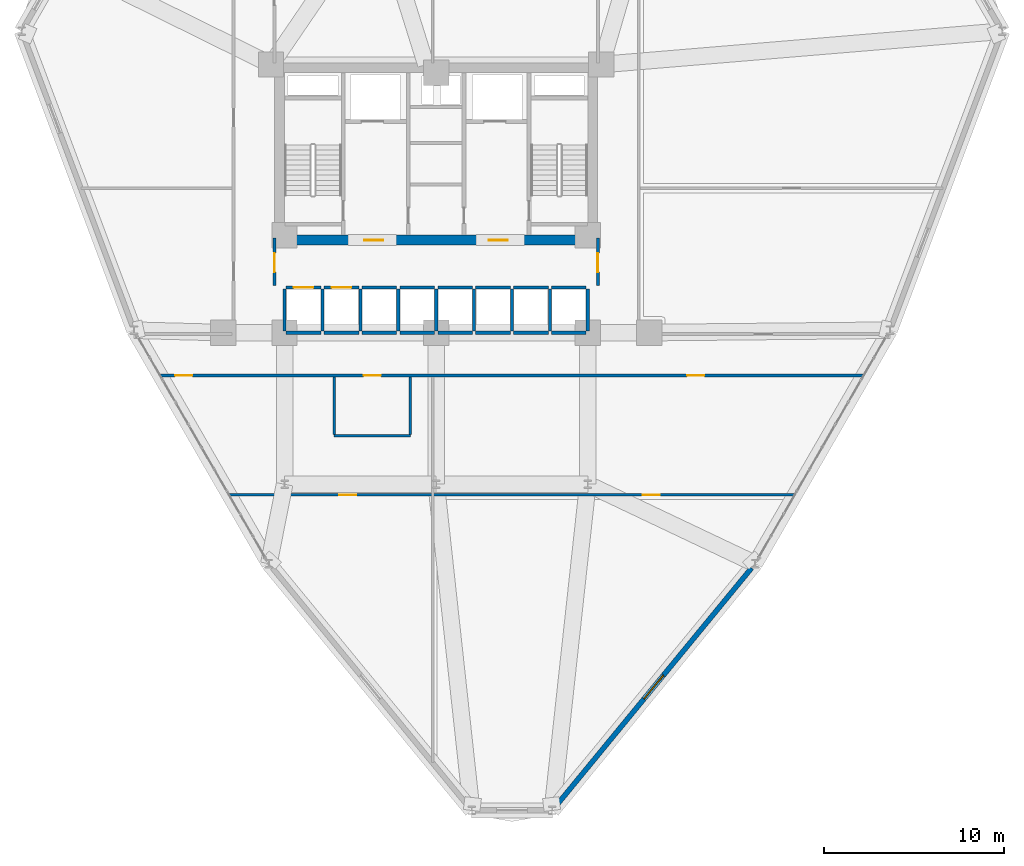
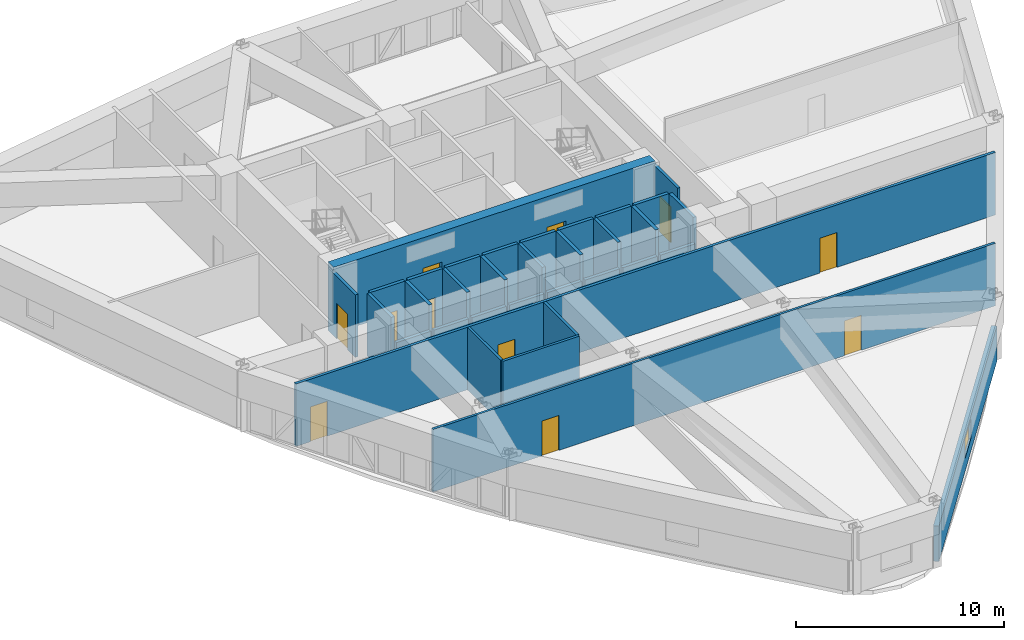
# One storey, part 13 of 17: 34 walls, 11 doors, 1 window, 12 openings.
"""IFC4 building model written with IfcOpenShell, lengths in metres."""

from ifc_helpers import new_model, si_unit, derived_unit, direction, frame, frame_2d, origin, place, context, subcontext, project, spatial, rectangle, extrude, material, layer, layer_set, type_object, element, fill, save


model = new_model("IFC4")

# Units and contexts
model_context = context("Model", 3, precision=1e-05, world=origin(), true_north=direction((0.0, 1.0)))
body_context = subcontext(model_context, "Body", "Model", "MODEL_VIEW")
ifc_project = project(units=[si_unit("LENGTHUNIT", "METRE"), si_unit("AREAUNIT", "SQUARE_METRE"), si_unit("VOLUMEUNIT", "CUBIC_METRE"), si_unit("PLANEANGLEUNIT", "RADIAN"), si_unit("MASSUNIT", "GRAM", prefix="KILO"), derived_unit("THERMALTRANSMITTANCEUNIT", [(si_unit("POWERUNIT", "WATT"), 1), (si_unit("LENGTHUNIT", "METRE"), -2), (si_unit("THERMODYNAMICTEMPERATUREUNIT", "KELVIN"), -1)])], contexts=[model_context])

# Site, building, storey
site_placement = place(None, origin())
site = spatial("IfcSite", under=ifc_project, at=site_placement, CompositionType="ELEMENT")
building_placement = place(site_placement, origin())
building = spatial("IfcBuilding", under=site, at=building_placement, Name="Korsvarv Bourse and Concert Hall", CompositionType="ELEMENT")
storey_placement = place(building_placement, frame((0.0, 0.0, 83.39990234375)))
storey = spatial("IfcBuildingStorey", under=building, at=storey_placement, Name="L20", CompositionType="ELEMENT", Elevation=83.39990234375)

# Wall, openings, doors
ifc_material_1 = material(Name="Concrete C60/75", Category="concrete")
ifc_layer_1 = layer(ifc_material_1, 0.550048828125)
ifc_layer_set_1 = layer_set([ifc_layer_1], Name="Concrete C60/75")
wall_type_1 = type_object("IfcWallType", Name="WL-CORE-550", PredefinedType="SHEAR", material=ifc_layer_set_1)
wall_1_placement = place(storey_placement, frame((27.050048828125, 37.52490234375, 0.0), z_axis=(0.0, 0.0, 1.0), x_axis=(1.0, 0.0, 0.0)))
wall_1 = element("IfcWall", 1, at=wall_1_placement, inside=storey, type_object=wall_type_1, Name="L20 South Core Shear Wall", PredefinedType="SHEAR", context=body_context, shape_type="SweptSolid", body=[
    extrude(rectangle(XDim=17.89990234375, YDim=0.550048828125, at=frame_2d((8.949951171875, 0.0))), origin(), (0.0, 0.0, 1.0), 3.900146484375),
])
opening_1_placement = place(wall_1_placement, frame((4.97509765625, 0.0, 0.0)))
opening_1 = element("IfcOpeningElement", 2, at=opening_1_placement, cuts=wall_1, Name="Opening D-01", PredefinedType="OPENING", context=body_context, shape_type="SweptSolid", body=[
    extrude(rectangle(XDim=1.050048828125, YDim=2.10009765625, at=frame_2d((0.52490234375, 1.050048828125))), frame((0.0, 0.28515625, 0.0), z_axis=(0.0, -1.0, 0.0), x_axis=(1.0, 0.0, 0.0)), (0.0, 0.0, 1.0), 0.570068359375),
])
opening_2_placement = place(wall_1_placement, frame((11.875, 0.0, 0.0)))
opening_2 = element("IfcOpeningElement", 3, at=opening_2_placement, cuts=wall_1, Name="Opening D-01", PredefinedType="OPENING", context=body_context, shape_type="SweptSolid", body=[
    extrude(rectangle(XDim=1.050048828125, YDim=2.10009765625, at=frame_2d((0.52490234375, 1.050048828125))), frame((0.0, 0.28515625, 0.0), z_axis=(0.0, -1.0, 0.0), x_axis=(1.0, 0.0, 0.0)), (0.0, 0.0, 1.0), 0.570068359375),
])
ifc_material_2 = material(Name="Steel S355 fire door", Category="steel")
door_type_1 = type_object("IfcDoorType", Name="DR-FD60", OperationType="NOTDEFINED", PredefinedType="DOOR", material=ifc_material_2)
door_1_placement = place(opening_1_placement, frame((1.050048828125, 0.0, 0.0), z_axis=(0.0, 0.0, 1.0), x_axis=(-1.0, 0.0, 0.0)))
door_1 = element("IfcDoor", 4, at=door_1_placement, inside=storey, type_object=door_type_1, Name="L20 firefighting lobby fire door DR-L20-FFLW", OperationType="SINGLE_SWING_LEFT", OverallHeight=2.10009765625, OverallWidth=1.050048828125, PredefinedType="DOOR", context=body_context, shape_type="SweptSolid", body=[
    extrude(rectangle(XDim=1.050048828125, YDim=2.10009765625, at=frame_2d((0.52490234375, 1.050048828125))), frame((0.0, 0.02490234375, 0.0), z_axis=(0.0, -1.0, 0.0), x_axis=(1.0, 0.0, 0.0)), (0.0, 0.0, 1.0), 0.050048828125),
])
fill(opening_1, door_1)
door_2_placement = place(opening_2_placement, frame((1.050048828125, 0.0, 0.0), z_axis=(0.0, 0.0, 1.0), x_axis=(-1.0, 0.0, 0.0)))
door_2 = element("IfcDoor", 5, at=door_2_placement, inside=storey, type_object=door_type_1, Name="L20 firefighting lobby fire door DR-L20-FFLE", OperationType="SINGLE_SWING_RIGHT", OverallHeight=2.10009765625, OverallWidth=1.050048828125, PredefinedType="DOOR", context=body_context, shape_type="SweptSolid", body=[
    extrude(rectangle(XDim=1.050048828125, YDim=2.10009765625, at=frame_2d((0.52490234375, 1.050048828125))), frame((0.0, 0.02490234375, 0.0), z_axis=(0.0, -1.0, 0.0), x_axis=(1.0, 0.0, 0.0)), (0.0, 0.0, 1.0), 0.050048828125),
])
fill(opening_2, door_2)

# Wall, opening, window
ifc_material_3 = material(Name="Precast concrete C45/55 with fluted terracotta pier", Category="concrete")
ifc_layer_2 = layer(ifc_material_3, 0.280029296875)
ifc_layer_set_2 = layer_set([ifc_layer_2], Name="Precast concrete C45/55 with fluted terracotta pier")
wall_type_2 = type_object("IfcWallType", Name="WL-EXT-TC2", PredefinedType="SOLIDWALL", material=ifc_layer_set_2)
wall_2_placement = place(storey_placement, frame((42.633056640625, 6.167724609375, 0.0), z_axis=(0.0, 0.0, 1.0), x_axis=(0.634956540438, 0.772547857259, 0.0)))
wall_2 = element("IfcWall", 6, at=wall_2_placement, inside=storey, type_object=wall_type_2, Name="L20 terracotta exterior wall EW-L20-B10", PredefinedType="SOLIDWALL", context=body_context, shape_type="SweptSolid", body=[
    extrude(rectangle(XDim=17.0712890625, YDim=0.280029296875, at=frame_2d((8.53564453125, 0.0))), origin(), (0.0, 0.0, 1.0), 2.080078125),
])
opening_3_placement = place(wall_2_placement, frame((7.685546875, 0.0, 0.75)))
opening_3 = element("IfcOpeningElement", 7, at=opening_3_placement, cuts=wall_2, Name="Opening W-06", PredefinedType="OPENING", context=body_context, shape_type="SweptSolid", body=[
    extrude(rectangle(XDim=1.699951171875, YDim=1.14990234375, at=frame_2d((0.85009765625, 0.574951171875))), frame((0.0, 0.14990234375, 0.0), z_axis=(0.0, -1.0, 0.0), x_axis=(1.0, 0.0, 0.0)), (0.0, 0.0, 1.0), 0.300048828125),
])
ifc_material_4 = material(Name="Thermally broken aluminium frame with triple low-E glass", Category="glass")
window_type = type_object("IfcWindowType", Name="WIN-TW1-1700X1150", PartitioningType="SINGLE_PANEL", PredefinedType="WINDOW", material=ifc_material_4)
window_placement = place(opening_3_placement, origin())
window = element("IfcWindow", 8, at=window_placement, inside=storey, type_object=window_type, Name="L20 punched facade window W-06", OverallHeight=1.14990234375, OverallWidth=1.699951171875, PartitioningType="SINGLE_PANEL", PredefinedType="WINDOW", context=body_context, shape_type="SweptSolid", body=[
    extrude(rectangle(XDim=1.699951171875, YDim=1.14990234375, at=frame_2d((0.85009765625, 0.574951171875))), frame((0.0, 0.030029296875, 0.0), z_axis=(0.0, -1.0, 0.0), x_axis=(1.0, 0.0, 0.0)), (0.0, 0.0, 1.0), 0.06005859375),
])
fill(opening_3, window)

# Wall, opening, door
ifc_material_5 = material(Name="Double-stud fire-rated acoustic partition", Category="gypsum")
ifc_layer_3 = layer(ifc_material_5, 0.159912109375)
ifc_layer_set_3 = layer_set([ifc_layer_3], Name="Double-stud fire-rated acoustic partition")
wall_type_3 = type_object("IfcWallType", Name="WL-INT-EI60", PredefinedType="PARTITIONING", material=ifc_layer_set_3)
wall_3_placement = place(storey_placement, frame((27.0400390625, 35.0, 0.0), z_axis=(0.0, 0.0, 1.0), x_axis=(0.0, 1.0, 0.0)))
wall_3 = element("IfcWall", 9, at=wall_3_placement, inside=storey, type_object=wall_type_3, Name="L20 interior partition wall W-L20-LOB-W", PredefinedType="PARTITIONING", context=body_context, shape_type="SweptSolid", body=[
    extrude(rectangle(XDim=2.64990234375, YDim=0.159912109375, at=frame_2d((1.324951171875, 0.0))), origin(), (0.0, 0.0, 1.0), 3.68017578125),
])
opening_4_placement = place(wall_3_placement, frame((0.75, 0.0, 0.0)))
opening_4 = element("IfcOpeningElement", 10, at=opening_4_placement, cuts=wall_3, Name="Opening D-01", PredefinedType="OPENING", context=body_context, shape_type="SweptSolid", body=[
    extrude(rectangle(XDim=1.050048828125, YDim=2.10009765625, at=frame_2d((0.52490234375, 1.050048828125))), frame((0.0, 0.08984375, 0.0), z_axis=(0.0, -1.0, 0.0), x_axis=(1.0, 0.0, 0.0)), (0.0, 0.0, 1.0), 0.179931640625),
])
door_3_placement = place(opening_4_placement, frame((1.050048828125, 0.0, 0.0), z_axis=(0.0, 0.0, 1.0), x_axis=(-1.0, 0.0, 0.0)))
door_3 = element("IfcDoor", 11, at=door_3_placement, inside=storey, type_object=door_type_1, Name="L20 interior door DR-L20-LOBW", OperationType="SINGLE_SWING_RIGHT", OverallHeight=2.10009765625, OverallWidth=1.050048828125, PredefinedType="DOOR", context=body_context, shape_type="SweptSolid", body=[
    extrude(rectangle(XDim=1.050048828125, YDim=2.10009765625, at=frame_2d((0.52490234375, 1.050048828125))), frame((0.0, 0.02490234375, 0.0), z_axis=(0.0, -1.0, 0.0), x_axis=(1.0, 0.0, 0.0)), (0.0, 0.0, 1.0), 0.050048828125),
])
fill(opening_4, door_3)

wall_4_placement = place(storey_placement, frame((44.9599609375, 35.0, 0.0), z_axis=(0.0, 0.0, 1.0), x_axis=(0.0, 1.0, 0.0)))
wall_4 = element("IfcWall", 12, at=wall_4_placement, inside=storey, type_object=wall_type_3, Name="L20 interior partition wall W-L20-LOB-E", PredefinedType="PARTITIONING", context=body_context, shape_type="SweptSolid", body=[
    extrude(rectangle(XDim=2.64990234375, YDim=0.159912109375, at=frame_2d((1.324951171875, 0.0))), origin(), (0.0, 0.0, 1.0), 3.68017578125),
])
opening_5_placement = place(wall_4_placement, frame((0.75, 0.0, 0.0)))
opening_5 = element("IfcOpeningElement", 13, at=opening_5_placement, cuts=wall_4, Name="Opening D-01", PredefinedType="OPENING", context=body_context, shape_type="SweptSolid", body=[
    extrude(rectangle(XDim=1.050048828125, YDim=2.10009765625, at=frame_2d((0.52490234375, 1.050048828125))), frame((0.0, 0.08984375, 0.0), z_axis=(0.0, -1.0, 0.0), x_axis=(1.0, 0.0, 0.0)), (0.0, 0.0, 1.0), 0.179931640625),
])
door_4_placement = place(opening_5_placement, origin())
door_4 = element("IfcDoor", 14, at=door_4_placement, inside=storey, type_object=door_type_1, Name="L20 interior door DR-L20-LOBE", OperationType="SINGLE_SWING_LEFT", OverallHeight=2.10009765625, OverallWidth=1.050048828125, PredefinedType="DOOR", context=body_context, shape_type="SweptSolid", body=[
    extrude(rectangle(XDim=1.050048828125, YDim=2.10009765625, at=frame_2d((0.52490234375, 1.050048828125))), frame((0.0, 0.02490234375, 0.0), z_axis=(0.0, -1.0, 0.0), x_axis=(1.0, 0.0, 0.0)), (0.0, 0.0, 1.0), 0.050048828125),
])
fill(opening_5, door_4)

# Wall, openings, doors
wall_5_placement = place(storey_placement, frame((20.728515625, 30.02490234375, 0.0), z_axis=(0.0, 0.0, 1.0), x_axis=(1.0, 0.0, 0.0)))
wall_5 = element("IfcWall", 15, at=wall_5_placement, inside=storey, type_object=wall_type_3, Name="L20 interior partition wall W-L20-TCOR-01", PredefinedType="PARTITIONING", context=body_context, shape_type="SweptSolid", body=[
    extrude(rectangle(XDim=38.943115234375, YDim=0.159912109375, at=frame_2d((19.4716796875, 0.0))), origin(), (0.0, 0.0, 1.0), 3.68017578125),
])
opening_6_placement = place(wall_5_placement, frame((11.256591796875, 0.0, 0.0)))
opening_6 = element("IfcOpeningElement", 16, at=opening_6_placement, cuts=wall_5, Name="Opening D-02", PredefinedType="OPENING", context=body_context, shape_type="SweptSolid", body=[
    extrude(rectangle(XDim=0.949951171875, YDim=2.050048828125, at=frame_2d((0.47509765625, 1.02490234375))), frame((0.0, 0.08984375, 0.0), z_axis=(0.0, -1.0, 0.0), x_axis=(1.0, 0.0, 0.0)), (0.0, 0.0, 1.0), 0.179931640625),
])
opening_7_placement = place(wall_5_placement, frame((0.811279296875, 0.0, 0.0)))
opening_7 = element("IfcOpeningElement", 17, at=opening_7_placement, cuts=wall_5, Name="Opening D-02", PredefinedType="OPENING", context=body_context, shape_type="SweptSolid", body=[
    extrude(rectangle(XDim=0.949951171875, YDim=2.050048828125, at=frame_2d((0.47509765625, 1.02490234375))), frame((0.0, 0.08984375, 0.0), z_axis=(0.0, -1.0, 0.0), x_axis=(1.0, 0.0, 0.0)), (0.0, 0.0, 1.0), 0.179931640625),
])
opening_8_placement = place(wall_5_placement, frame((29.177490234375, 0.0, 0.0)))
opening_8 = element("IfcOpeningElement", 18, at=opening_8_placement, cuts=wall_5, Name="Opening D-02", PredefinedType="OPENING", context=body_context, shape_type="SweptSolid", body=[
    extrude(rectangle(XDim=0.949951171875, YDim=2.050048828125, at=frame_2d((0.47509765625, 1.02490234375))), frame((0.0, 0.08984375, 0.0), z_axis=(0.0, -1.0, 0.0), x_axis=(1.0, 0.0, 0.0)), (0.0, 0.0, 1.0), 0.179931640625),
])
ifc_material_6 = material(Name="Timber and steel acoustic fire door", Category="wood")
door_type_2 = type_object("IfcDoorType", Name="DR-FD30", OperationType="NOTDEFINED", PredefinedType="DOOR", material=ifc_material_6)
door_5_placement = place(opening_6_placement, origin())
door_5 = element("IfcDoor", 19, at=door_5_placement, inside=storey, type_object=door_type_2, Name="L20 interior door DR-L20-TCOR-RWC", OperationType="SINGLE_SWING_RIGHT", OverallHeight=2.050048828125, OverallWidth=0.949951171875, PredefinedType="DOOR", context=body_context, shape_type="SweptSolid", body=[
    extrude(rectangle(XDim=0.949951171875, YDim=2.050048828125, at=frame_2d((0.47509765625, 1.02490234375))), frame((0.0, 0.02490234375, 0.0), z_axis=(0.0, -1.0, 0.0), x_axis=(1.0, 0.0, 0.0)), (0.0, 0.0, 1.0), 0.050048828125),
])
fill(opening_6, door_5)
door_6_placement = place(opening_7_placement, origin())
door_6 = element("IfcDoor", 20, at=door_6_placement, inside=storey, type_object=door_type_2, Name="L20 interior door DR-L20-TCOR-ACW5", OperationType="SINGLE_SWING_LEFT", OverallHeight=2.050048828125, OverallWidth=0.949951171875, PredefinedType="DOOR", context=body_context, shape_type="SweptSolid", body=[
    extrude(rectangle(XDim=0.949951171875, YDim=2.050048828125, at=frame_2d((0.47509765625, 1.02490234375))), frame((0.0, 0.02490234375, 0.0), z_axis=(0.0, -1.0, 0.0), x_axis=(1.0, 0.0, 0.0)), (0.0, 0.0, 1.0), 0.050048828125),
])
fill(opening_7, door_6)
door_7_placement = place(opening_8_placement, origin())
door_7 = element("IfcDoor", 21, at=door_7_placement, inside=storey, type_object=door_type_2, Name="L20 interior door DR-L20-TCOR-ACE6", OperationType="SINGLE_SWING_RIGHT", OverallHeight=2.050048828125, OverallWidth=0.949951171875, PredefinedType="DOOR", context=body_context, shape_type="SweptSolid", body=[
    extrude(rectangle(XDim=0.949951171875, YDim=2.050048828125, at=frame_2d((0.47509765625, 1.02490234375))), frame((0.0, 0.02490234375, 0.0), z_axis=(0.0, -1.0, 0.0), x_axis=(1.0, 0.0, 0.0)), (0.0, 0.0, 1.0), 0.050048828125),
])
fill(opening_8, door_7)

# Wall, opening, door
ifc_material_7 = material(Name="Gypsum-clad autoclaved concrete shaft wall C30/37", Category="concrete")
ifc_layer_4 = layer(ifc_material_7, 0.179931640625)
ifc_layer_set_4 = layer_set([ifc_layer_4], Name="Gypsum-clad autoclaved concrete shaft wall C30/37")
wall_type_4 = type_object("IfcWallType", Name="WL-INT-EI90", PredefinedType="PARTITIONING", material=ifc_layer_set_4)
wall_6_placement = place(storey_placement, frame((27.68994140625, 34.89990234375, 0.0), z_axis=(0.0, 0.0, 1.0), x_axis=(1.0, 0.0, 0.0)))
wall_6 = element("IfcWall", 22, at=wall_6_placement, inside=storey, type_object=wall_type_4, Name="L20 interior partition wall W-L20-SHFN-PL1", PredefinedType="PARTITIONING", context=body_context, shape_type="SweptSolid", body=[
    extrude(rectangle(XDim=1.920166015625, YDim=0.179931640625, at=frame_2d((0.9599609375, 0.0))), origin(), (0.0, 0.0, 1.0), 3.68017578125),
])
opening_9_placement = place(wall_6_placement, frame((0.409912109375, 0.0, 0.0)))
opening_9 = element("IfcOpeningElement", 23, at=opening_9_placement, cuts=wall_6, Name="Opening LD-2", PredefinedType="OPENING", context=body_context, shape_type="SweptSolid", body=[
    extrude(rectangle(XDim=1.10009765625, YDim=2.10009765625, at=frame_2d((0.550048828125, 1.050048828125))), frame((0.0, 0.10009765625, 0.0), z_axis=(0.0, -1.0, 0.0), x_axis=(1.0, 0.0, 0.0)), (0.0, 0.0, 1.0), 0.199951171875),
])
ifc_material_8 = material(Name="Brushed stainless Steel S355 lift landing door", Category="steel")
door_type_3 = type_object("IfcDoorType", Name="DR-LIFT-P", OperationType="DOUBLE_DOOR_SLIDING", PredefinedType="DOOR", material=ifc_material_8)
door_8_placement = place(opening_9_placement, origin())
door_8 = element("IfcDoor", 24, at=door_8_placement, inside=storey, type_object=door_type_3, Name="L20 lift sliding landing door LD-L20-PL1", OperationType="DOUBLE_DOOR_SLIDING", OverallHeight=2.10009765625, OverallWidth=1.10009765625, PredefinedType="DOOR", context=body_context, shape_type="SweptSolid", body=[
    extrude(rectangle(XDim=1.10009765625, YDim=2.10009765625, at=frame_2d((0.550048828125, 1.050048828125))), frame((0.0, 0.02490234375, 0.0), z_axis=(0.0, -1.0, 0.0), x_axis=(1.0, 0.0, 0.0)), (0.0, 0.0, 1.0), 0.050048828125),
])
fill(opening_9, door_8)

# Walls
wall_7_placement = place(storey_placement, frame((27.68994140625, 32.39990234375, 0.0), z_axis=(0.0, 0.0, 1.0), x_axis=(1.0, 0.0, 0.0)))
element("IfcWall", 25, at=wall_7_placement, inside=storey, type_object=wall_type_4, Name="L20 interior partition wall W-L20-SHFS-PL1", PredefinedType="PARTITIONING", context=body_context, shape_type="SweptSolid", body=[
    extrude(rectangle(XDim=1.920166015625, YDim=0.179931640625, at=frame_2d((0.9599609375, 0.0))), origin(), (0.0, 0.0, 1.0), 2.239990234375),
])
wall_8_placement = place(storey_placement, frame((27.60009765625, 32.489990234375, 0.0), z_axis=(0.0, 0.0, 1.0), x_axis=(0.0, 1.0, 0.0)))
element("IfcWall", 26, at=wall_8_placement, inside=storey, type_object=wall_type_4, Name="L20 interior partition wall W-L20-SHFW-PL1", PredefinedType="PARTITIONING", context=body_context, shape_type="SweptSolid", body=[
    extrude(rectangle(XDim=2.320068359375, YDim=0.179931640625, at=frame_2d((1.16015625, 0.0))), origin(), (0.0, 0.0, 1.0), 3.68017578125),
])

# Wall, opening, door
wall_9_placement = place(storey_placement, frame((29.7900390625, 34.89990234375, 0.0), z_axis=(0.0, 0.0, 1.0), x_axis=(1.0, 0.0, 0.0)))
wall_9 = element("IfcWall", 27, at=wall_9_placement, inside=storey, type_object=wall_type_4, Name="L20 interior partition wall W-L20-SHFN-PL2", PredefinedType="PARTITIONING", context=body_context, shape_type="SweptSolid", body=[
    extrude(rectangle(XDim=1.919921875, YDim=0.179931640625, at=frame_2d((0.9599609375, 0.0))), origin(), (0.0, 0.0, 1.0), 3.68017578125),
])
opening_10_placement = place(wall_9_placement, frame((0.409912109375, 0.0, 0.0)))
opening_10 = element("IfcOpeningElement", 28, at=opening_10_placement, cuts=wall_9, Name="Opening LD-2", PredefinedType="OPENING", context=body_context, shape_type="SweptSolid", body=[
    extrude(rectangle(XDim=1.10009765625, YDim=2.10009765625, at=frame_2d((0.550048828125, 1.050048828125))), frame((0.0, 0.10009765625, 0.0), z_axis=(0.0, -1.0, 0.0), x_axis=(1.0, 0.0, 0.0)), (0.0, 0.0, 1.0), 0.199951171875),
])
door_9_placement = place(opening_10_placement, origin())
door_9 = element("IfcDoor", 29, at=door_9_placement, inside=storey, type_object=door_type_3, Name="L20 lift sliding landing door LD-L20-PL2", OperationType="DOUBLE_DOOR_SLIDING", OverallHeight=2.10009765625, OverallWidth=1.10009765625, PredefinedType="DOOR", context=body_context, shape_type="SweptSolid", body=[
    extrude(rectangle(XDim=1.10009765625, YDim=2.10009765625, at=frame_2d((0.550048828125, 1.050048828125))), frame((0.0, 0.02490234375, 0.0), z_axis=(0.0, -1.0, 0.0), x_axis=(1.0, 0.0, 0.0)), (0.0, 0.0, 1.0), 0.050048828125),
])
fill(opening_10, door_9)

# Walls
wall_10_placement = place(storey_placement, frame((29.7900390625, 32.39990234375, 0.0), z_axis=(0.0, 0.0, 1.0), x_axis=(1.0, 0.0, 0.0)))
element("IfcWall", 30, at=wall_10_placement, inside=storey, type_object=wall_type_4, Name="L20 interior partition wall W-L20-SHFS-PL2", PredefinedType="PARTITIONING", context=body_context, shape_type="SweptSolid", body=[
    extrude(rectangle(XDim=1.919921875, YDim=0.179931640625, at=frame_2d((0.9599609375, 0.0))), origin(), (0.0, 0.0, 1.0), 2.239990234375),
])
wall_11_placement = place(storey_placement, frame((29.699951171875, 32.489990234375, 0.0), z_axis=(0.0, 0.0, 1.0), x_axis=(0.0, 1.0, 0.0)))
element("IfcWall", 31, at=wall_11_placement, inside=storey, type_object=wall_type_4, Name="L20 interior partition wall W-L20-SHFW-PL2", PredefinedType="PARTITIONING", context=body_context, shape_type="SweptSolid", body=[
    extrude(rectangle(XDim=2.320068359375, YDim=0.179931640625, at=frame_2d((1.16015625, 0.0))), origin(), (0.0, 0.0, 1.0), 3.68017578125),
])
wall_12_placement = place(storey_placement, frame((31.889892578125, 34.89990234375, 0.0), z_axis=(0.0, 0.0, 1.0), x_axis=(1.0, 0.0, 0.0)))
element("IfcWall", 32, at=wall_12_placement, inside=storey, type_object=wall_type_4, Name="L20 interior partition wall W-L20-SHFN-PM1", PredefinedType="PARTITIONING", context=body_context, shape_type="SweptSolid", body=[
    extrude(rectangle(XDim=1.920166015625, YDim=0.179931640625, at=frame_2d((0.9599609375, 0.0))), origin(), (0.0, 0.0, 1.0), 3.68017578125),
])
wall_13_placement = place(storey_placement, frame((31.889892578125, 32.39990234375, 0.0), z_axis=(0.0, 0.0, 1.0), x_axis=(1.0, 0.0, 0.0)))
element("IfcWall", 33, at=wall_13_placement, inside=storey, type_object=wall_type_4, Name="L20 interior partition wall W-L20-SHFS-PM1", PredefinedType="PARTITIONING", context=body_context, shape_type="SweptSolid", body=[
    extrude(rectangle(XDim=1.920166015625, YDim=0.179931640625, at=frame_2d((0.9599609375, 0.0))), origin(), (0.0, 0.0, 1.0), 2.239990234375),
])
wall_14_placement = place(storey_placement, frame((31.800048828125, 32.489990234375, 0.0), z_axis=(0.0, 0.0, 1.0), x_axis=(0.0, 1.0, 0.0)))
element("IfcWall", 34, at=wall_14_placement, inside=storey, type_object=wall_type_4, Name="L20 interior partition wall W-L20-SHFW-PM1", PredefinedType="PARTITIONING", context=body_context, shape_type="SweptSolid", body=[
    extrude(rectangle(XDim=2.320068359375, YDim=0.179931640625, at=frame_2d((1.16015625, 0.0))), origin(), (0.0, 0.0, 1.0), 3.68017578125),
])
wall_15_placement = place(storey_placement, frame((33.989990234375, 34.89990234375, 0.0), z_axis=(0.0, 0.0, 1.0), x_axis=(1.0, 0.0, 0.0)))
element("IfcWall", 35, at=wall_15_placement, inside=storey, type_object=wall_type_4, Name="L20 interior partition wall W-L20-SHFN-PM2", PredefinedType="PARTITIONING", context=body_context, shape_type="SweptSolid", body=[
    extrude(rectangle(XDim=1.919921875, YDim=0.179931640625, at=frame_2d((0.9599609375, 0.0))), origin(), (0.0, 0.0, 1.0), 3.68017578125),
])
wall_16_placement = place(storey_placement, frame((33.989990234375, 32.39990234375, 0.0), z_axis=(0.0, 0.0, 1.0), x_axis=(1.0, 0.0, 0.0)))
element("IfcWall", 36, at=wall_16_placement, inside=storey, type_object=wall_type_4, Name="L20 interior partition wall W-L20-SHFS-PM2", PredefinedType="PARTITIONING", context=body_context, shape_type="SweptSolid", body=[
    extrude(rectangle(XDim=1.919921875, YDim=0.179931640625, at=frame_2d((0.9599609375, 0.0))), origin(), (0.0, 0.0, 1.0), 2.239990234375),
])
wall_17_placement = place(storey_placement, frame((33.89990234375, 32.489990234375, 0.0), z_axis=(0.0, 0.0, 1.0), x_axis=(0.0, 1.0, 0.0)))
element("IfcWall", 37, at=wall_17_placement, inside=storey, type_object=wall_type_4, Name="L20 interior partition wall W-L20-SHFW-PM2", PredefinedType="PARTITIONING", context=body_context, shape_type="SweptSolid", body=[
    extrude(rectangle(XDim=2.320068359375, YDim=0.179931640625, at=frame_2d((1.16015625, 0.0))), origin(), (0.0, 0.0, 1.0), 3.68017578125),
])
wall_18_placement = place(storey_placement, frame((36.090087890625, 34.89990234375, 0.0), z_axis=(0.0, 0.0, 1.0), x_axis=(1.0, 0.0, 0.0)))
element("IfcWall", 38, at=wall_18_placement, inside=storey, type_object=wall_type_4, Name="L20 interior partition wall W-L20-SHFN-PH1", PredefinedType="PARTITIONING", context=body_context, shape_type="SweptSolid", body=[
    extrude(rectangle(XDim=1.919921875, YDim=0.179931640625, at=frame_2d((0.9599609375, 0.0))), origin(), (0.0, 0.0, 1.0), 3.68017578125),
])
wall_19_placement = place(storey_placement, frame((36.090087890625, 32.39990234375, 0.0), z_axis=(0.0, 0.0, 1.0), x_axis=(1.0, 0.0, 0.0)))
element("IfcWall", 39, at=wall_19_placement, inside=storey, type_object=wall_type_4, Name="L20 interior partition wall W-L20-SHFS-PH1", PredefinedType="PARTITIONING", context=body_context, shape_type="SweptSolid", body=[
    extrude(rectangle(XDim=1.919921875, YDim=0.179931640625, at=frame_2d((0.9599609375, 0.0))), origin(), (0.0, 0.0, 1.0), 2.239990234375),
])
wall_20_placement = place(storey_placement, frame((36.0, 32.489990234375, 0.0), z_axis=(0.0, 0.0, 1.0), x_axis=(0.0, 1.0, 0.0)))
element("IfcWall", 40, at=wall_20_placement, inside=storey, type_object=wall_type_4, Name="L20 interior partition wall W-L20-SHFW-PH1", PredefinedType="PARTITIONING", context=body_context, shape_type="SweptSolid", body=[
    extrude(rectangle(XDim=2.320068359375, YDim=0.179931640625, at=frame_2d((1.16015625, 0.0))), origin(), (0.0, 0.0, 1.0), 3.68017578125),
])
wall_21_placement = place(storey_placement, frame((38.18994140625, 34.89990234375, 0.0), z_axis=(0.0, 0.0, 1.0), x_axis=(1.0, 0.0, 0.0)))
element("IfcWall", 41, at=wall_21_placement, inside=storey, type_object=wall_type_4, Name="L20 interior partition wall W-L20-SHFN-PH2", PredefinedType="PARTITIONING", context=body_context, shape_type="SweptSolid", body=[
    extrude(rectangle(XDim=1.920166015625, YDim=0.179931640625, at=frame_2d((0.9599609375, 0.0))), origin(), (0.0, 0.0, 1.0), 3.68017578125),
])
wall_22_placement = place(storey_placement, frame((38.18994140625, 32.39990234375, 0.0), z_axis=(0.0, 0.0, 1.0), x_axis=(1.0, 0.0, 0.0)))
element("IfcWall", 42, at=wall_22_placement, inside=storey, type_object=wall_type_4, Name="L20 interior partition wall W-L20-SHFS-PH2", PredefinedType="PARTITIONING", context=body_context, shape_type="SweptSolid", body=[
    extrude(rectangle(XDim=1.920166015625, YDim=0.179931640625, at=frame_2d((0.9599609375, 0.0))), origin(), (0.0, 0.0, 1.0), 2.239990234375),
])
wall_23_placement = place(storey_placement, frame((38.10009765625, 32.489990234375, 0.0), z_axis=(0.0, 0.0, 1.0), x_axis=(0.0, 1.0, 0.0)))
element("IfcWall", 43, at=wall_23_placement, inside=storey, type_object=wall_type_4, Name="L20 interior partition wall W-L20-SHFW-PH2", PredefinedType="PARTITIONING", context=body_context, shape_type="SweptSolid", body=[
    extrude(rectangle(XDim=2.320068359375, YDim=0.179931640625, at=frame_2d((1.16015625, 0.0))), origin(), (0.0, 0.0, 1.0), 3.68017578125),
])
wall_24_placement = place(storey_placement, frame((40.2900390625, 34.89990234375, 0.0), z_axis=(0.0, 0.0, 1.0), x_axis=(1.0, 0.0, 0.0)))
element("IfcWall", 44, at=wall_24_placement, inside=storey, type_object=wall_type_4, Name="L20 interior partition wall W-L20-SHFN-PO1", PredefinedType="PARTITIONING", context=body_context, shape_type="SweptSolid", body=[
    extrude(rectangle(XDim=1.919921875, YDim=0.179931640625, at=frame_2d((0.9599609375, 0.0))), origin(), (0.0, 0.0, 1.0), 3.68017578125),
])
wall_25_placement = place(storey_placement, frame((40.2900390625, 32.39990234375, 0.0), z_axis=(0.0, 0.0, 1.0), x_axis=(1.0, 0.0, 0.0)))
element("IfcWall", 45, at=wall_25_placement, inside=storey, type_object=wall_type_4, Name="L20 interior partition wall W-L20-SHFS-PO1", PredefinedType="PARTITIONING", context=body_context, shape_type="SweptSolid", body=[
    extrude(rectangle(XDim=1.919921875, YDim=0.179931640625, at=frame_2d((0.9599609375, 0.0))), origin(), (0.0, 0.0, 1.0), 2.239990234375),
])
wall_26_placement = place(storey_placement, frame((40.199951171875, 32.489990234375, 0.0), z_axis=(0.0, 0.0, 1.0), x_axis=(0.0, 1.0, 0.0)))
element("IfcWall", 46, at=wall_26_placement, inside=storey, type_object=wall_type_4, Name="L20 interior partition wall W-L20-SHFW-PO1", PredefinedType="PARTITIONING", context=body_context, shape_type="SweptSolid", body=[
    extrude(rectangle(XDim=2.320068359375, YDim=0.179931640625, at=frame_2d((1.16015625, 0.0))), origin(), (0.0, 0.0, 1.0), 3.68017578125),
])
wall_27_placement = place(storey_placement, frame((42.389892578125, 34.89990234375, 0.0), z_axis=(0.0, 0.0, 1.0), x_axis=(1.0, 0.0, 0.0)))
element("IfcWall", 47, at=wall_27_placement, inside=storey, type_object=wall_type_4, Name="L20 interior partition wall W-L20-SHFN-PO2", PredefinedType="PARTITIONING", context=body_context, shape_type="SweptSolid", body=[
    extrude(rectangle(XDim=1.920166015625, YDim=0.179931640625, at=frame_2d((0.9599609375, 0.0))), origin(), (0.0, 0.0, 1.0), 3.68017578125),
])
wall_28_placement = place(storey_placement, frame((42.389892578125, 32.39990234375, 0.0), z_axis=(0.0, 0.0, 1.0), x_axis=(1.0, 0.0, 0.0)))
element("IfcWall", 48, at=wall_28_placement, inside=storey, type_object=wall_type_4, Name="L20 interior partition wall W-L20-SHFS-PO2", PredefinedType="PARTITIONING", context=body_context, shape_type="SweptSolid", body=[
    extrude(rectangle(XDim=1.920166015625, YDim=0.179931640625, at=frame_2d((0.9599609375, 0.0))), origin(), (0.0, 0.0, 1.0), 2.239990234375),
])
for number, where, z_axis, x_axis, name in (
    (49, (42.300048828125, 32.489990234375, 0.0), (0.0, 0.0, 1.0), (0.0, 1.0, 0.0), "L20 interior partition wall W-L20-SHFW-PO2"),
    (50, (44.39990234375, 32.489990234375, 0.0), (0.0, 0.0, 1.0), (0.0, 1.0, 0.0), "L20 interior partition wall W-L20-SHFE-END"),
):
    element("IfcWall", number, at=place(storey_placement, frame(where, z_axis=z_axis, x_axis=x_axis)), inside=storey, type_object=wall_type_4, Name=name, PredefinedType="PARTITIONING", context=body_context, shape_type="SweptSolid", body=[
        extrude(rectangle(XDim=2.320068359375, YDim=0.179931640625, at=frame_2d((1.16015625, 0.0))), origin(), (0.0, 0.0, 1.0), 3.68017578125),
    ])

# Wall, openings, doors
ifc_material_9 = material(Name="Insulated steel-stud office acoustic partition", Category="gypsum")
ifc_layer_5 = layer(ifc_material_9, 0.139892578125)
ifc_layer_set_5 = layer_set([ifc_layer_5], Name="Insulated steel-stud office acoustic partition")
wall_type_5 = type_object("IfcWallType", Name="WL-INT-P1", PredefinedType="PARTITIONING", material=ifc_layer_set_5)
wall_29_placement = place(storey_placement, frame((24.550537109375, 23.405029296875, 0.0), z_axis=(0.0, 0.0, 1.0), x_axis=(1.0, 0.0, 0.0)))
wall_29 = element("IfcWall", 51, at=wall_29_placement, inside=storey, type_object=wall_type_5, Name="L20 interior partition wall W-L20-TCOR-08", PredefinedType="PARTITIONING", context=body_context, shape_type="SweptSolid", body=[
    extrude(rectangle(XDim=31.299072265625, YDim=0.139892578125, at=frame_2d((15.6494140625, 0.0))), origin(), (0.0, 0.0, 1.0), 3.68017578125),
])
opening_11_placement = place(wall_29_placement, frame((6.06591796875, 0.0, 0.0)))
opening_11 = element("IfcOpeningElement", 52, at=opening_11_placement, cuts=wall_29, Name="Opening D-03", PredefinedType="OPENING", context=body_context, shape_type="SweptSolid", body=[
    extrude(rectangle(XDim=0.949951171875, YDim=2.050048828125, at=frame_2d((0.47509765625, 1.02490234375))), frame((0.0, 0.080078125, 0.0), z_axis=(0.0, -1.0, 0.0), x_axis=(1.0, 0.0, 0.0)), (0.0, 0.0, 1.0), 0.159912109375),
])
opening_12_placement = place(wall_29_placement, frame((22.88623046875, 0.0, 0.0)))
opening_12 = element("IfcOpeningElement", 53, at=opening_12_placement, cuts=wall_29, Name="Opening D-03", PredefinedType="OPENING", context=body_context, shape_type="SweptSolid", body=[
    extrude(rectangle(XDim=0.949951171875, YDim=2.050048828125, at=frame_2d((0.47509765625, 1.02490234375))), frame((0.0, 0.080078125, 0.0), z_axis=(0.0, -1.0, 0.0), x_axis=(1.0, 0.0, 0.0)), (0.0, 0.0, 1.0), 0.159912109375),
])
ifc_material_10 = material(Name="Nordic oak acoustic office door", Category="wood")
door_type_4 = type_object("IfcDoorType", Name="DR-INT-1", OperationType="NOTDEFINED", PredefinedType="DOOR", material=ifc_material_10)
door_10_placement = place(opening_11_placement, origin())
door_10 = element("IfcDoor", 54, at=door_10_placement, inside=storey, type_object=door_type_4, Name="L20 interior door DR-L20-TCOR-ACS3", OperationType="SINGLE_SWING_RIGHT", OverallHeight=2.050048828125, OverallWidth=0.949951171875, PredefinedType="DOOR", context=body_context, shape_type="SweptSolid", body=[
    extrude(rectangle(XDim=0.949951171875, YDim=2.050048828125, at=frame_2d((0.47509765625, 1.02490234375))), frame((0.0, 0.02490234375, 0.0), z_axis=(0.0, -1.0, 0.0), x_axis=(1.0, 0.0, 0.0)), (0.0, 0.0, 1.0), 0.050048828125),
])
fill(opening_11, door_10)
door_11_placement = place(opening_12_placement, origin())
door_11 = element("IfcDoor", 55, at=door_11_placement, inside=storey, type_object=door_type_4, Name="L20 interior door DR-L20-TCOR-ACF4", OperationType="SINGLE_SWING_LEFT", OverallHeight=2.050048828125, OverallWidth=0.949951171875, PredefinedType="DOOR", context=body_context, shape_type="SweptSolid", body=[
    extrude(rectangle(XDim=0.949951171875, YDim=2.050048828125, at=frame_2d((0.47509765625, 1.02490234375))), frame((0.0, 0.02490234375, 0.0), z_axis=(0.0, -1.0, 0.0), x_axis=(1.0, 0.0, 0.0)), (0.0, 0.0, 1.0), 0.050048828125),
])
fill(opening_12, door_11)

# Walls
wall_30_placement = place(storey_placement, frame((30.340087890625, 26.675048828125, 0.0), z_axis=(0.0, 0.0, 1.0), x_axis=(1.0, 0.0, 0.0)))
element("IfcWall", 56, at=wall_30_placement, inside=storey, type_object=wall_type_5, Name="L20 interior partition wall W-L20-TCOR-13", PredefinedType="PARTITIONING", context=body_context, shape_type="SweptSolid", body=[
    extrude(rectangle(XDim=4.239990234375, YDim=0.139892578125, at=frame_2d((2.1201171875, 0.0))), origin(), (0.0, 0.0, 1.0), 3.68017578125),
])
for number, where, z_axis, x_axis, name in (
    (57, (34.574951171875, 26.7470703125, 0.0), (0.0, 0.0, 1.0), (0.0, 1.0, 0.0), "L20 interior partition wall W-L20-TCOR-14"),
    (58, (30.344970703125, 26.7470703125, 0.0), (0.0, 0.0, 1.0), (0.0, 1.0, 0.0), "L20 interior partition wall W-L20-TCOR-15"),
):
    element("IfcWall", number, at=place(storey_placement, frame(where, z_axis=z_axis, x_axis=x_axis)), inside=storey, type_object=wall_type_5, Name=name, PredefinedType="PARTITIONING", context=body_context, shape_type="SweptSolid", body=[
        extrude(rectangle(XDim=3.196044921875, YDim=0.139892578125, at=frame_2d((1.59814453125, 0.0))), origin(), (0.0, 0.0, 1.0), 3.68017578125),
    ])

save(model, "model.ifc")
